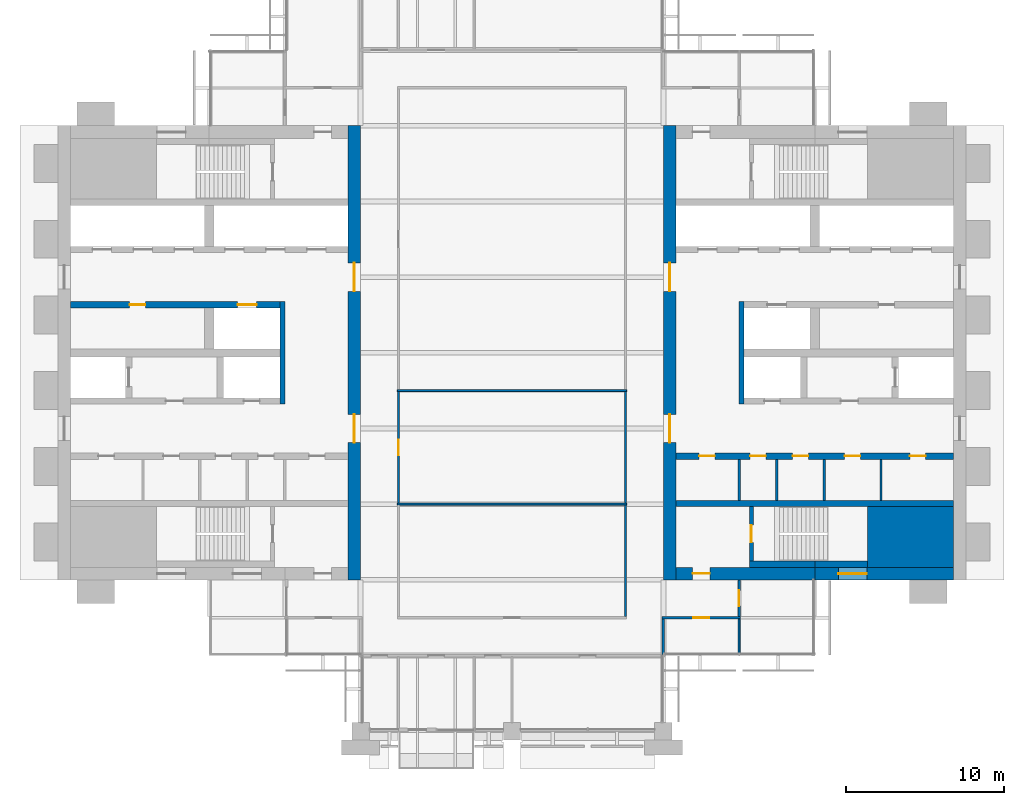
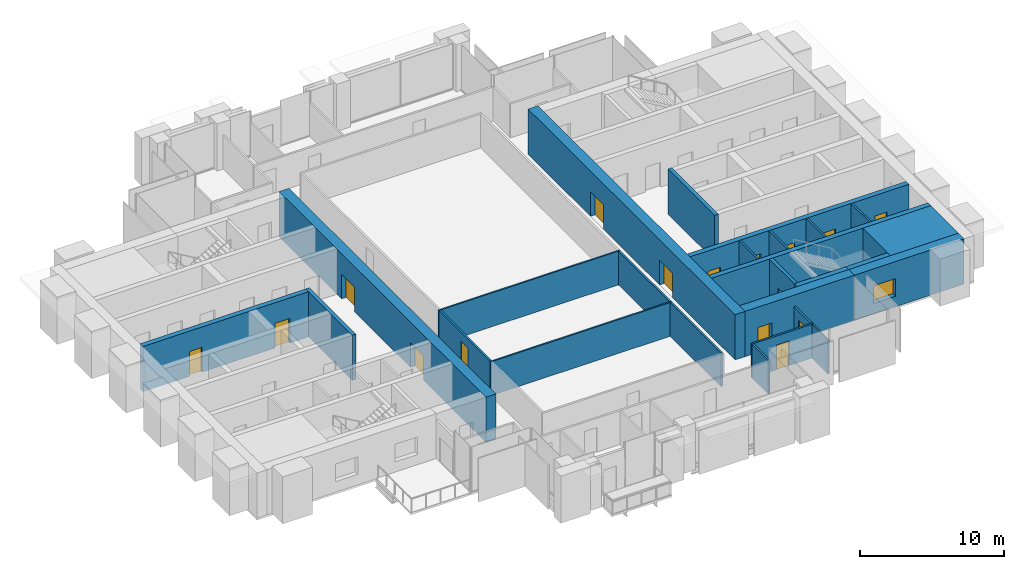
# One storey, part 9 of 14: 26 walls, 16 doors, 1 window, 17 openings.
"""IFC4 building model written with IfcOpenShell, lengths in metres."""

import ifcopenshell
import ifcopenshell.guid

model = None  # the IFC model being written
_history = None  # IfcOwnerHistory: only IFC2X3 demands one
_inside = {}  # id of a spatial element -> (the spatial element, [elements in it])
_under = {}  # id of a project, library or spatial element -> (it, [spatial elements below it])
_declared = {}  # id of a project -> (the project, [libraries it declares])
_typed = {}  # id of a type object -> (the type object, [elements of that type])
_made_of = {}  # id of a material, layer set ... -> (it, [elements and type objects made of it])


def new_model(schema):
    """Start an empty IFC model of exactly this schema.

    Asked for "IFC4X3", IfcOpenShell would pick the latest addendum, in which some entities
    have other attributes; the version numbers below select the first issue.
    IFC2X3 requires an IfcOwnerHistory on every rooted entity: one is made here for all.
    """
    global model, _history
    if schema == "IFC4X3":
        model = ifcopenshell.file(schema_version=(4, 3, 0, 0))
    else:
        model = ifcopenshell.file(schema=schema)
    _inside.clear()
    _under.clear()
    _declared.clear()
    _typed.clear()
    _made_of.clear()
    _history = None
    if model.schema == "IFC2X3":
        org = make("IfcOrganization", Name="unknown")
        user = make(
            "IfcPersonAndOrganization",
            ThePerson=make("IfcPerson", FamilyName="unknown"),
            TheOrganization=org,
        )
        app = make(
            "IfcApplication",
            ApplicationDeveloper=org,
            Version="unknown",
            ApplicationFullName="unknown",
            ApplicationIdentifier="unknown",
        )
        _history = make(
            "IfcOwnerHistory",
            OwningUser=user,
            OwningApplication=app,
            ChangeAction="ADDED",
            CreationDate=0,
        )
    return model


def make(cls, **values):
    """One entity of the class cls with the attributes given. An attribute that is None is left unset."""
    return model.create_entity(
        cls, **{name: value for name, value in values.items() if value is not None}
    )


def rooted(cls, **values):
    """An entity with a GlobalId (a new one), such as an element, a storey or a relation."""
    return make(cls, GlobalId=ifcopenshell.guid.new(), OwnerHistory=_history, **values)


def si_unit(unit_type, name, prefix=None):
    """IfcSIUnit, for example si_unit("LENGTHUNIT", "METRE", prefix="MILLI")."""
    return make("IfcSIUnit", UnitType=unit_type, Prefix=prefix, Name=name)


def assignment(units):
    """IfcUnitAssignment: the units of a project."""
    return None if units is None else make("IfcUnitAssignment", Units=units)


def point(xyz):
    """IfcCartesianPoint."""
    return None if xyz is None else make("IfcCartesianPoint", Coordinates=xyz)


def direction(xyz):
    """IfcDirection."""
    return None if xyz is None else make("IfcDirection", DirectionRatios=xyz)


def frame(location, z_axis=None, x_axis=None):
    """IfcAxis2Placement3D, a coordinate frame: its origin and axes. An axis left out is left unset."""
    return make(
        "IfcAxis2Placement3D",
        Location=point(location),
        Axis=direction(z_axis),
        RefDirection=direction(x_axis),
    )


def frame_2d(location, x_axis=None):
    """IfcAxis2Placement2D, a coordinate frame in the plane: its origin and x axis."""
    return make(
        "IfcAxis2Placement2D", Location=point(location), RefDirection=direction(x_axis)
    )


def origin():
    """The frame at (0, 0, 0) with its axes left unset."""
    return frame((0.0, 0.0, 0.0))


def place(relative_to, where):
    """IfcLocalPlacement: puts the frame where relative to a parent placement (None: the world)."""
    return make(
        "IfcLocalPlacement", PlacementRelTo=relative_to, RelativePlacement=where
    )


def context(
    kind, dimensions, precision=None, world=None, true_north=None, identifier=None
):
    """IfcGeometricRepresentationContext, for example the 3D "Model" context."""
    return make(
        "IfcGeometricRepresentationContext",
        ContextIdentifier=identifier,
        ContextType=kind,
        CoordinateSpaceDimension=dimensions,
        Precision=precision,
        WorldCoordinateSystem=world,
        TrueNorth=true_north,
    )


def subcontext(parent, identifier, kind, view, scale=None):
    """IfcGeometricRepresentationSubContext, for example "Body" below "Model"."""
    return make(
        "IfcGeometricRepresentationSubContext",
        ContextIdentifier=identifier,
        ContextType=kind,
        ParentContext=parent,
        TargetScale=scale,
        TargetView=view,
    )


def project(units=None, contexts=None):
    """IfcProject with its units and contexts."""
    return rooted(
        "IfcProject",
        Name="project",
        RepresentationContexts=contexts,
        UnitsInContext=assignment(units),
    )


def spatial(cls, under=None, at=None, **own):
    """A site, building, storey or space (cls), placed at a placement, below another one or the project."""
    s = rooted(cls, ObjectPlacement=at, **own)
    if under is not None:
        _under.setdefault(under.id(), (under, []))[1].append(s)
    return s


def profile(cls, at=None, kind="AREA", **sizes):
    """A parametric profile (cls). Its sizes go by their IFC names, for example OverallWidth=200.0."""
    return make(cls, ProfileType=kind, Position=at, **sizes)


def rectangle(**sizes):
    """IfcRectangleProfileDef."""
    return profile("IfcRectangleProfileDef", **sizes)


def extrude(swept, where, along, depth):
    """IfcExtrudedAreaSolid: the profile swept, set in the frame where, extruded along a direction by depth."""
    return make(
        "IfcExtrudedAreaSolid",
        SweptArea=swept,
        Position=where,
        ExtrudedDirection=direction(along),
        Depth=depth,
    )


def shape(context_of_items, identifier, shape_type, items):
    """IfcShapeRepresentation: the items that make up one representation, for example the "Body"."""
    return make(
        "IfcShapeRepresentation",
        ContextOfItems=context_of_items,
        RepresentationIdentifier=identifier,
        RepresentationType=shape_type,
        Items=items,
    )


def material(Name=None, Category=None):
    """IfcMaterial."""
    return make("IfcMaterial", Name=Name, Category=Category)


def layer(
    of_material, thickness, ventilated=None, Name=None, Category=None, Priority=None
):
    """IfcMaterialLayer: one layer of a wall or slab, of a material (None: an air gap)."""
    return make(
        "IfcMaterialLayer",
        Material=of_material,
        LayerThickness=thickness,
        IsVentilated=ventilated,
        Name=Name,
        Category=Category,
        Priority=Priority,
    )


def layer_set(layers, Name=None):
    """IfcMaterialLayerSet."""
    return make("IfcMaterialLayerSet", MaterialLayers=layers, LayerSetName=Name)


def made_of(thing, what):
    """Note that an element or type object is made of a material, layer set ...; save() writes the relation."""
    if what is not None:
        _made_of.setdefault(what.id(), (what, []))[1].append(thing)
    return thing


def type_object(cls, material=None, **own):
    """A type object (cls), such as IfcWallType, which elements share."""
    return made_of(rooted(cls, **own), material)


def element(
    cls,
    number,
    at=None,
    inside=None,
    cuts=None,
    type_object=None,
    material=None,
    context=None,
    identifier="Body",
    shape_type=None,
    held_by="IfcProductDefinitionShape",
    body=None,
    shapes=None,
    **own,
):
    """One element of the class cls, such as IfcWall. Its Tag is "e" and its number.

    at: its placement. inside: the storey or other place that contains it. cuts: it is an
    opening in that element (IfcRelVoidsElement). A single representation is given by context,
    identifier, shape_type and body (its items); several are given by shapes. held_by: the class
    of the entity that holds the representations. save() writes the other relations.
    """
    e = rooted(cls, Tag="e%d" % number, ObjectPlacement=at, **own)
    if body is not None:
        shapes = [shape(context, identifier, shape_type, body)]
    if shapes is not None:
        e.Representation = make(held_by, Representations=shapes)
    if inside is not None:
        _inside.setdefault(inside.id(), (inside, []))[1].append(e)
    if cuts is not None:
        rooted(
            "IfcRelVoidsElement", RelatingBuildingElement=cuts, RelatedOpeningElement=e
        )
    if type_object is not None:
        _typed.setdefault(type_object.id(), (type_object, []))[1].append(e)
    return made_of(e, material)


def fill(opening, filler):
    """IfcRelFillsElement: the door or window that sits in an opening."""
    return rooted(
        "IfcRelFillsElement",
        RelatingOpeningElement=opening,
        RelatedBuildingElement=filler,
    )


def aggregate(whole, parts):
    """IfcRelAggregates: a whole, such as a stair, and the parts it consists of."""
    return rooted("IfcRelAggregates", RelatingObject=whole, RelatedObjects=parts)


def save(model, path):
    """Write the relations noted so far, then the file.

    IfcRelAggregates (storeys below a building ...), IfcRelContainedInSpatialStructure (elements
    in a storey), IfcRelDefinesByType, IfcRelAssociatesMaterial and IfcRelDeclares: one each for
    every whole, place, type object, material and project.
    """
    for whole, parts in _under.values():
        aggregate(whole, parts)
    for where, things in _inside.values():
        rooted(
            "IfcRelContainedInSpatialStructure",
            RelatedElements=things,
            RelatingStructure=where,
        )
    for kind, things in _typed.values():
        rooted("IfcRelDefinesByType", RelatedObjects=things, RelatingType=kind)
    for what, things in _made_of.values():
        rooted("IfcRelAssociatesMaterial", RelatedObjects=things, RelatingMaterial=what)
    for by, libraries in _declared.values():
        rooted("IfcRelDeclares", RelatingContext=by, RelatedDefinitions=libraries)
    model.write(path)


model = new_model("IFC4")

# Units and contexts
model_context = context("Model", 3, precision=1e-05, world=origin(), true_north=direction((0.0, 1.0)))
body_context = subcontext(model_context, "Body", "Model", "MODEL_VIEW")
ifc_project = project(units=[si_unit("LENGTHUNIT", "METRE"), si_unit("AREAUNIT", "SQUARE_METRE"), si_unit("VOLUMEUNIT", "CUBIC_METRE"), si_unit("PLANEANGLEUNIT", "RADIAN"), si_unit("MASSUNIT", "GRAM", prefix="KILO")], contexts=[model_context])

# Site, building, storey
site_placement = place(None, origin())
site = spatial("IfcSite", under=ifc_project, at=site_placement, CompositionType="ELEMENT")
building_placement = place(site_placement, origin())
building = spatial("IfcBuilding", under=site, at=building_placement, Name="Baori Bourse Tower", CompositionType="ELEMENT")
storey_placement = place(building_placement, frame((0.0, 0.0, 209.199951171875)))
storey = spatial("IfcBuildingStorey", under=building, at=storey_placement, Name="L45", CompositionType="ELEMENT", Elevation=209.199951171875)

# Walls
ifc_material_1 = material(Name="Concrete f'c 50 MPa", Category="concrete")
wall_type_1 = type_object("IfcWallType", Name="Core corner block f'c 50", PredefinedType="SHEAR", material=ifc_material_1)
wall_1_placement = place(storey_placement, frame((51.35009765625, 12.324951171875, 0.0), z_axis=(0.0, 0.0, 1.0), x_axis=(1.0, 0.0, 0.0)))
element("IfcWall", 1, at=wall_1_placement, inside=storey, type_object=wall_type_1, Name="Core wall E05", PredefinedType="SHEAR", context=body_context, shape_type="SweptSolid", body=[
    extrude(rectangle(XDim=5.449951171875, YDim=3.85009765625, at=frame_2d((2.72509765625, 0.0))), origin(), (0.0, 0.0, 1.0), 3.840087890625),
])
ifc_material_2 = material(Name="Blockwork partition", Category="masonry")
ifc_layer_1 = layer(ifc_material_2, 0.14990234375)
ifc_layer_set_1 = layer_set([ifc_layer_1], Name="Core partition 150")
wall_type_2 = type_object("IfcWallType", Name="Core partition 150", PredefinedType="PARTITIONING", material=ifc_layer_set_1)
for number, where, z_axis, x_axis, name in (
    (2, (52.199951171875, 14.64990234375, 0.0), (0.0, 0.0, 1.0), (0.0, 1.0, 0.0), "Partition wall E10"),
    (3, (48.60009765625, 14.64990234375, 0.0), (0.0, 0.0, 1.0), (0.0, 1.0, 0.0), "Partition wall E11"),
    (4, (45.60009765625, 14.64990234375, 0.0), (0.0, 0.0, 1.0), (0.0, 1.0, 0.0), "Partition wall E12"),
    (5, (43.199951171875, 14.64990234375, 0.0), (0.0, 0.0, 1.0), (0.0, 1.0, 0.0), "Partition wall E13"),
):
    element("IfcWall", number, at=place(storey_placement, frame(where, z_axis=z_axis, x_axis=x_axis)), inside=storey, type_object=wall_type_2, Name=name, PredefinedType="PARTITIONING", context=body_context, shape_type="SweptSolid", body=[
        extrude(rectangle(XDim=2.60009765625, YDim=0.14990234375, at=frame_2d((1.300048828125, 0.0))), origin(), (0.0, 0.0, 1.0), 3.840087890625),
    ])

# Wall, openings, doors
ifc_material_3 = material(Name="Concrete f'c 50 MPa", Category="concrete")
ifc_layer_2 = layer(ifc_material_3, 0.800048828125)
ifc_layer_set_2 = layer_set([ifc_layer_2], Name="Core wall 800 f'c 50")
wall_type_3 = type_object("IfcWallType", Name="Core wall 800 f'c 50", PredefinedType="SHEAR", material=ifc_layer_set_2)
wall_2_placement = place(storey_placement, frame((18.800048828125, 38.39990234375, 0.0), z_axis=(0.0, 0.0, 1.0), x_axis=(0.0, -1.0, 0.0)))
wall_2 = element("IfcWall", 6, at=wall_2_placement, inside=storey, type_object=wall_type_3, Name="Core wall W04", PredefinedType="SHEAR", context=body_context, shape_type="SweptSolid", body=[
    extrude(rectangle(XDim=28.7998046875, YDim=0.800048828125, at=frame_2d((14.39990234375, 0.0))), origin(), (0.0, 0.0, 1.0), 3.840087890625),
])
opening_1_placement = place(wall_2_placement, frame((18.300048828125, 0.0, 0.0)))
opening_1 = element("IfcOpeningElement", 7, at=opening_1_placement, cuts=wall_2, Name="Opening L45-D107", PredefinedType="OPENING", context=body_context, shape_type="SweptSolid", body=[
    extrude(rectangle(XDim=1.800048828125, YDim=2.10009765625, at=frame_2d((0.89990234375, 1.050048828125))), frame((0.0, 0.409912109375, 0.0), z_axis=(0.0, -1.0, 0.0), x_axis=(1.0, 0.0, 0.0)), (0.0, 0.0, 1.0), 0.820068359375),
])
opening_2_placement = place(wall_2_placement, frame((8.699951171875, 0.0, 0.0)))
opening_2 = element("IfcOpeningElement", 8, at=opening_2_placement, cuts=wall_2, Name="Opening L45-D108", PredefinedType="OPENING", context=body_context, shape_type="SweptSolid", body=[
    extrude(rectangle(XDim=1.800048828125, YDim=2.10009765625, at=frame_2d((0.89990234375, 1.050048828125))), frame((0.0, 0.409912109375, 0.0), z_axis=(0.0, -1.0, 0.0), x_axis=(1.0, 0.0, 0.0)), (0.0, 0.0, 1.0), 0.820068359375),
])
ifc_material_4 = material(Name="Painted steel door", Category="steel")
door_type_1 = type_object("IfcDoorType", Name="Core lobby door 1800", OperationType="DOUBLE_DOOR_SINGLE_SWING", PredefinedType="DOOR", material=ifc_material_4)
door_1_placement = place(opening_1_placement, origin())
door_1 = element("IfcDoor", 9, at=door_1_placement, inside=storey, type_object=door_type_1, Name="Lobby door W L45", OperationType="DOUBLE_DOOR_SINGLE_SWING", OverallHeight=2.10009765625, OverallWidth=1.800048828125, PredefinedType="DOOR", context=body_context, shape_type="SweptSolid", body=[
    extrude(rectangle(XDim=1.800048828125, YDim=2.10009765625, at=frame_2d((0.89990234375, 1.050048828125))), frame((0.0, 0.02490234375, 0.0), z_axis=(0.0, -1.0, 0.0), x_axis=(1.0, 0.0, 0.0)), (0.0, 0.0, 1.0), 0.050048828125),
])
fill(opening_1, door_1)
door_2_placement = place(opening_2_placement, origin())
door_2 = element("IfcDoor", 10, at=door_2_placement, inside=storey, type_object=door_type_1, Name="Lobby door W L45", OperationType="DOUBLE_DOOR_SINGLE_SWING", OverallHeight=2.10009765625, OverallWidth=1.800048828125, PredefinedType="DOOR", context=body_context, shape_type="SweptSolid", body=[
    extrude(rectangle(XDim=1.800048828125, YDim=2.10009765625, at=frame_2d((0.89990234375, 1.050048828125))), frame((0.0, 0.02490234375, 0.0), z_axis=(0.0, -1.0, 0.0), x_axis=(1.0, 0.0, 0.0)), (0.0, 0.0, 1.0), 0.050048828125),
])
fill(opening_2, door_2)

# Wall, opening, window
wall_3_placement = place(storey_placement, frame((56.800048828125, 10.0, 0.0), z_axis=(0.0, 0.0, 1.0), x_axis=(-1.0, 0.0, 0.0)))
wall_3 = element("IfcWall", 11, at=wall_3_placement, inside=storey, type_object=wall_type_3, Name="Core wall E02", PredefinedType="SHEAR", context=body_context, shape_type="SweptSolid", body=[
    extrude(rectangle(XDim=8.800048828125, YDim=0.800048828125, at=frame_2d((4.39990234375, 0.0))), origin(), (0.0, 0.0, 1.0), 3.840087890625),
])
opening_3_placement = place(wall_3_placement, frame((5.5, 0.0, 0.89990234375)))
opening_3 = element("IfcOpeningElement", 12, at=opening_3_placement, cuts=wall_3, Name="Opening L45-KW203", PredefinedType="OPENING", context=body_context, shape_type="SweptSolid", body=[
    extrude(rectangle(XDim=1.800048828125, YDim=1.5, at=frame_2d((0.89990234375, 0.75))), frame((0.0, 0.409912109375, 0.0), z_axis=(0.0, -1.0, 0.0), x_axis=(1.0, 0.0, 0.0)), (0.0, 0.0, 1.0), 0.820068359375),
])
ifc_material_5 = material(Name="Pale anodised aluminium", Category="aluminium")
window_type = type_object("IfcWindowType", Name="Stair window 1800 x 1500", PartitioningType="SINGLE_PANEL", PredefinedType="WINDOW", material=ifc_material_5)
window_placement = place(opening_3_placement, origin())
window = element("IfcWindow", 13, at=window_placement, inside=storey, type_object=window_type, Name="Stair window E L45 3", OverallHeight=1.5, OverallWidth=1.800048828125, PartitioningType="SINGLE_PANEL", PredefinedType="WINDOW", context=body_context, shape_type="SweptSolid", body=[
    extrude(rectangle(XDim=1.800048828125, YDim=1.5, at=frame_2d((0.89990234375, 0.75))), frame((0.0, 0.030029296875, 0.0), z_axis=(0.0, -1.0, 0.0), x_axis=(1.0, 0.0, 0.0)), (0.0, 0.0, 1.0), 0.06005859375),
])
fill(opening_3, window)

# Wall, opening, door
wall_4_placement = place(storey_placement, frame((48.0, 10.0, 0.0), z_axis=(0.0, 0.0, 1.0), x_axis=(-1.0, 0.0, 0.0)))
wall_4 = element("IfcWall", 14, at=wall_4_placement, inside=storey, type_object=wall_type_3, Name="Core wall E03", PredefinedType="SHEAR", context=body_context, shape_type="SweptSolid", body=[
    extrude(rectangle(XDim=8.800048828125, YDim=0.800048828125, at=frame_2d((4.39990234375, 0.0))), origin(), (0.0, 0.0, 1.0), 3.840087890625),
])
opening_4_placement = place(wall_4_placement, frame((6.64990234375, 0.0, 0.0)))
opening_4 = element("IfcOpeningElement", 15, at=opening_4_placement, cuts=wall_4, Name="Opening L45-D202", PredefinedType="OPENING", context=body_context, shape_type="SweptSolid", body=[
    extrude(rectangle(XDim=1.10009765625, YDim=2.10009765625, at=frame_2d((0.550048828125, 1.050048828125))), frame((0.0, 0.409912109375, 0.0), z_axis=(0.0, -1.0, 0.0), x_axis=(1.0, 0.0, 0.0)), (0.0, 0.0, 1.0), 0.820068359375),
])
ifc_material_6 = material(Name="Painted steel door", Category="steel")
door_type_2 = type_object("IfcDoorType", Name="Stair door 1100", OperationType="SINGLE_SWING_LEFT", PredefinedType="DOOR", material=ifc_material_6)
door_3_placement = place(opening_4_placement, origin())
door_3 = element("IfcDoor", 16, at=door_3_placement, inside=storey, type_object=door_type_2, Name="Stair vestibule door A E L45", OperationType="SINGLE_SWING_LEFT", OverallHeight=2.10009765625, OverallWidth=1.10009765625, PredefinedType="DOOR", context=body_context, shape_type="SweptSolid", body=[
    extrude(rectangle(XDim=1.10009765625, YDim=2.10009765625, at=frame_2d((0.550048828125, 1.050048828125))), frame((0.0, 0.02490234375, 0.0), z_axis=(0.0, -1.0, 0.0), x_axis=(1.0, 0.0, 0.0)), (0.0, 0.0, 1.0), 0.050048828125),
])
fill(opening_4, door_3)

# Wall, openings, doors
wall_5_placement = place(storey_placement, frame((38.800048828125, 9.60009765625, 0.0), z_axis=(0.0, 0.0, 1.0), x_axis=(0.0, 1.0, 0.0)))
wall_5 = element("IfcWall", 17, at=wall_5_placement, inside=storey, type_object=wall_type_3, Name="Core wall E04", PredefinedType="SHEAR", context=body_context, shape_type="SweptSolid", body=[
    extrude(rectangle(XDim=28.7998046875, YDim=0.800048828125, at=frame_2d((14.39990234375, 0.0))), origin(), (0.0, 0.0, 1.0), 3.840087890625),
])
opening_5_placement = place(wall_5_placement, frame((8.699951171875, 0.0, 0.0)))
opening_5 = element("IfcOpeningElement", 18, at=opening_5_placement, cuts=wall_5, Name="Opening L45-D207", PredefinedType="OPENING", context=body_context, shape_type="SweptSolid", body=[
    extrude(rectangle(XDim=1.800048828125, YDim=2.10009765625, at=frame_2d((0.89990234375, 1.050048828125))), frame((0.0, 0.409912109375, 0.0), z_axis=(0.0, -1.0, 0.0), x_axis=(1.0, 0.0, 0.0)), (0.0, 0.0, 1.0), 0.820068359375),
])
opening_6_placement = place(wall_5_placement, frame((18.300048828125, 0.0, 0.0)))
opening_6 = element("IfcOpeningElement", 19, at=opening_6_placement, cuts=wall_5, Name="Opening L45-D208", PredefinedType="OPENING", context=body_context, shape_type="SweptSolid", body=[
    extrude(rectangle(XDim=1.800048828125, YDim=2.10009765625, at=frame_2d((0.89990234375, 1.050048828125))), frame((0.0, 0.409912109375, 0.0), z_axis=(0.0, -1.0, 0.0), x_axis=(1.0, 0.0, 0.0)), (0.0, 0.0, 1.0), 0.820068359375),
])
door_4_placement = place(opening_5_placement, origin())
door_4 = element("IfcDoor", 20, at=door_4_placement, inside=storey, type_object=door_type_1, Name="Lobby door E L45", OperationType="DOUBLE_DOOR_SINGLE_SWING", OverallHeight=2.10009765625, OverallWidth=1.800048828125, PredefinedType="DOOR", context=body_context, shape_type="SweptSolid", body=[
    extrude(rectangle(XDim=1.800048828125, YDim=2.10009765625, at=frame_2d((0.89990234375, 1.050048828125))), frame((0.0, 0.02490234375, 0.0), z_axis=(0.0, -1.0, 0.0), x_axis=(1.0, 0.0, 0.0)), (0.0, 0.0, 1.0), 0.050048828125),
])
fill(opening_5, door_4)
door_5_placement = place(opening_6_placement, origin())
door_5 = element("IfcDoor", 21, at=door_5_placement, inside=storey, type_object=door_type_1, Name="Lobby door E L45", OperationType="DOUBLE_DOOR_SINGLE_SWING", OverallHeight=2.10009765625, OverallWidth=1.800048828125, PredefinedType="DOOR", context=body_context, shape_type="SweptSolid", body=[
    extrude(rectangle(XDim=1.800048828125, YDim=2.10009765625, at=frame_2d((0.89990234375, 1.050048828125))), frame((0.0, 0.02490234375, 0.0), z_axis=(0.0, -1.0, 0.0), x_axis=(1.0, 0.0, 0.0)), (0.0, 0.0, 1.0), 0.050048828125),
])
fill(opening_6, door_5)

# Wall, opening, door
ifc_material_7 = material(Name="Gypsum board partition")
ifc_layer_3 = layer(ifc_material_7, 0.14990234375)
ifc_layer_set_3 = layer_set([ifc_layer_3], Name="Corridor partition 150")
wall_type_4 = type_object("IfcWallType", Name="Corridor partition 150", PredefinedType="PARTITIONING", material=ifc_layer_set_3)
wall_6_placement = place(storey_placement, frame((38.324951171875, 7.199951171875, 0.0), z_axis=(0.0, 0.0, 1.0), x_axis=(1.0, 0.0, 0.0)))
wall_6 = element("IfcWall", 22, at=wall_6_placement, inside=storey, type_object=wall_type_4, Name="Partition", PredefinedType="PARTITIONING", context=body_context, shape_type="SweptSolid", body=[
    extrude(rectangle(XDim=4.949951171875, YDim=0.14990234375, at=frame_2d((2.47509765625, 0.0))), origin(), (0.0, 0.0, 1.0), 2.869873046875),
])
opening_7_placement = place(wall_6_placement, frame((1.97509765625, 0.0, 0.0)))
opening_7 = element("IfcOpeningElement", 23, at=opening_7_placement, cuts=wall_6, Name="Opening L45-D07", PredefinedType="OPENING", context=body_context, shape_type="SweptSolid", body=[
    extrude(rectangle(XDim=1.0, YDim=2.10009765625, at=frame_2d((0.5, 1.050048828125))), frame((0.0, 0.0849609375, 0.0), z_axis=(0.0, -1.0, 0.0), x_axis=(1.0, 0.0, 0.0)), (0.0, 0.0, 1.0), 0.169921875),
])
ifc_material_8 = material(Name="Timber door leaf", Category="wood")
door_type_3 = type_object("IfcDoorType", Name="Door 1000 x 2100", OperationType="SINGLE_SWING_LEFT", PredefinedType="DOOR", material=ifc_material_8)
door_6_placement = place(opening_7_placement, origin())
door_6 = element("IfcDoor", 24, at=door_6_placement, inside=storey, type_object=door_type_3, Name="Door", OperationType="SINGLE_SWING_LEFT", OverallHeight=2.10009765625, OverallWidth=1.0, PredefinedType="DOOR", context=body_context, shape_type="SweptSolid", body=[
    extrude(rectangle(XDim=1.0, YDim=2.10009765625, at=frame_2d((0.5, 1.050048828125))), frame((0.0, 0.02490234375, 0.0), z_axis=(0.0, -1.0, 0.0), x_axis=(1.0, 0.0, 0.0)), (0.0, 0.0, 1.0), 0.050048828125),
])
fill(opening_7, door_6)

wall_7_placement = place(storey_placement, frame((21.60009765625, 14.46240234375, 0.0), z_axis=(0.0, 0.0, 1.0), x_axis=(0.0, 1.0, 0.0)))
wall_7 = element("IfcWall", 25, at=wall_7_placement, inside=storey, type_object=wall_type_4, Name="Partition", PredefinedType="PARTITIONING", context=body_context, shape_type="SweptSolid", body=[
    extrude(rectangle(XDim=7.0751953125, YDim=0.14990234375, at=frame_2d((3.53759765625, 0.0))), origin(), (0.0, 0.0, 1.0), 2.869873046875),
])
opening_8_placement = place(wall_7_placement, frame((3.03759765625, 0.0, 0.0)))
opening_8 = element("IfcOpeningElement", 26, at=opening_8_placement, cuts=wall_7, Name="Opening L45-D14", PredefinedType="OPENING", context=body_context, shape_type="SweptSolid", body=[
    extrude(rectangle(XDim=1.0, YDim=2.10009765625, at=frame_2d((0.5, 1.050048828125))), frame((0.0, 0.0849609375, 0.0), z_axis=(0.0, -1.0, 0.0), x_axis=(1.0, 0.0, 0.0)), (0.0, 0.0, 1.0), 0.169921875),
])
door_7_placement = place(opening_8_placement, origin())
door_7 = element("IfcDoor", 27, at=door_7_placement, inside=storey, type_object=door_type_3, Name="Door", OperationType="SINGLE_SWING_LEFT", OverallHeight=2.10009765625, OverallWidth=1.0, PredefinedType="DOOR", context=body_context, shape_type="SweptSolid", body=[
    extrude(rectangle(XDim=1.0, YDim=2.10009765625, at=frame_2d((0.5, 1.050048828125))), frame((0.0, 0.02490234375, 0.0), z_axis=(0.0, -1.0, 0.0), x_axis=(1.0, 0.0, 0.0)), (0.0, 0.0, 1.0), 0.050048828125),
])
fill(opening_8, door_7)

# Walls
wall_8_placement = place(storey_placement, frame((36.0, 7.27490234375, 0.0), z_axis=(0.0, 0.0, 1.0), x_axis=(0.0, 1.0, 0.0)))
element("IfcWall", 28, at=wall_8_placement, inside=storey, type_object=wall_type_4, Name="Partition", PredefinedType="PARTITIONING", context=body_context, shape_type="SweptSolid", body=[
    extrude(rectangle(XDim=7.0625, YDim=0.14990234375, at=frame_2d((3.53125, 0.0))), origin(), (0.0, 0.0, 1.0), 2.869873046875),
])
wall_9_placement = place(storey_placement, frame((36.0, 14.46240234375, 0.0), z_axis=(0.0, 0.0, 1.0), x_axis=(0.0, 1.0, 0.0)))
element("IfcWall", 29, at=wall_9_placement, inside=storey, type_object=wall_type_4, Name="Partition", PredefinedType="PARTITIONING", context=body_context, shape_type="SweptSolid", body=[
    extrude(rectangle(XDim=7.0751953125, YDim=0.14990234375, at=frame_2d((3.53759765625, 0.0))), origin(), (0.0, 0.0, 1.0), 2.869873046875),
])
wall_10_placement = place(storey_placement, frame((38.39990234375, 4.875, 0.0), z_axis=(0.0, 0.0, 1.0), x_axis=(0.0, 1.0, 0.0)))
element("IfcWall", 30, at=wall_10_placement, inside=storey, type_object=wall_type_4, Name="Partition", PredefinedType="PARTITIONING", context=body_context, shape_type="SweptSolid", body=[
    extrude(rectangle(XDim=2.25, YDim=0.14990234375, at=frame_2d((1.125, 0.0))), origin(), (0.0, 0.0, 1.0), 2.869873046875),
])

# Wall, opening, door
wall_11_placement = place(storey_placement, frame((43.199951171875, 7.27490234375, 0.0), z_axis=(0.0, 0.0, 1.0), x_axis=(0.0, 1.0, 0.0)))
wall_11 = element("IfcWall", 31, at=wall_11_placement, inside=storey, type_object=wall_type_4, Name="Partition", PredefinedType="PARTITIONING", context=body_context, shape_type="SweptSolid", body=[
    extrude(rectangle(XDim=2.3251953125, YDim=0.14990234375, at=frame_2d((1.16259765625, 0.0))), origin(), (0.0, 0.0, 1.0), 2.869873046875),
])
opening_9_placement = place(wall_11_placement, frame((0.66259765625, 0.0, 0.0)))
opening_9 = element("IfcOpeningElement", 32, at=opening_9_placement, cuts=wall_11, Name="Opening L45-D16", PredefinedType="OPENING", context=body_context, shape_type="SweptSolid", body=[
    extrude(rectangle(XDim=1.0, YDim=2.10009765625, at=frame_2d((0.5, 1.050048828125))), frame((0.0, 0.0849609375, 0.0), z_axis=(0.0, -1.0, 0.0), x_axis=(1.0, 0.0, 0.0)), (0.0, 0.0, 1.0), 0.169921875),
])
door_8_placement = place(opening_9_placement, origin())
door_8 = element("IfcDoor", 33, at=door_8_placement, inside=storey, type_object=door_type_3, Name="Door", OperationType="SINGLE_SWING_LEFT", OverallHeight=2.10009765625, OverallWidth=1.0, PredefinedType="DOOR", context=body_context, shape_type="SweptSolid", body=[
    extrude(rectangle(XDim=1.0, YDim=2.10009765625, at=frame_2d((0.5, 1.050048828125))), frame((0.0, 0.02490234375, 0.0), z_axis=(0.0, -1.0, 0.0), x_axis=(1.0, 0.0, 0.0)), (0.0, 0.0, 1.0), 0.050048828125),
])
fill(opening_9, door_8)

# Walls
ifc_material_9 = material(Name="Gypsum board partition")
ifc_layer_4 = layer(ifc_material_9, 0.125)
ifc_layer_set_4 = layer_set([ifc_layer_4], Name="Partition 125")
wall_type_5 = type_object("IfcWallType", Name="Partition 125", PredefinedType="PARTITIONING", material=ifc_layer_set_4)
for number, where, z_axis, x_axis, name in (
    (34, (21.52490234375, 14.39990234375, 0.0), (0.0, 0.0, 1.0), (1.0, 0.0, 0.0), "Partition"),
    (35, (21.52490234375, 21.60009765625, 0.0), (0.0, 0.0, 1.0), (1.0, 0.0, 0.0), "Partition"),
):
    element("IfcWall", number, at=place(storey_placement, frame(where, z_axis=z_axis, x_axis=x_axis)), inside=storey, type_object=wall_type_5, Name=name, PredefinedType="PARTITIONING", context=body_context, shape_type="SweptSolid", body=[
        extrude(rectangle(XDim=14.550048828125, YDim=0.125, at=frame_2d((7.27490234375, 0.0))), origin(), (0.0, 0.0, 1.0), 2.869873046875),
    ])
wall_12_placement = place(storey_placement, frame((43.199951171875, 4.89990234375, 0.0), z_axis=(0.0, 0.0, 1.0), x_axis=(0.0, 1.0, 0.0)))
element("IfcWall", 36, at=wall_12_placement, inside=storey, type_object=wall_type_5, Name="Partition", PredefinedType="PARTITIONING", context=body_context, shape_type="SweptSolid", body=[
    extrude(rectangle(XDim=2.22509765625, YDim=0.125, at=frame_2d((1.112548828125, 0.0))), origin(), (0.0, 0.0, 1.0), 2.869873046875),
])

# Wall, opening, door
ifc_material_10 = material(Name="Concrete f'c 50 MPa", Category="concrete")
ifc_layer_5 = layer(ifc_material_10, 0.25)
ifc_layer_set_5 = layer_set([ifc_layer_5], Name="Shaft wall 250 f'c 50")
wall_type_6 = type_object("IfcWallType", Name="Shaft wall 250 f'c 50", PredefinedType="SHEAR", material=ifc_layer_set_5)
wall_13_placement = place(storey_placement, frame((43.97509765625, 10.800048828125, 0.0), z_axis=(0.0, 0.0, 1.0), x_axis=(0.0, 1.0, 0.0)))
wall_13 = element("IfcWall", 37, at=wall_13_placement, inside=storey, type_object=wall_type_6, Name="Core wall E08", PredefinedType="SHEAR", context=body_context, shape_type="SweptSolid", body=[
    extrude(rectangle(XDim=3.449951171875, YDim=0.25, at=frame_2d((1.72509765625, 0.0))), origin(), (0.0, 0.0, 1.0), 3.840087890625),
])
opening_10_placement = place(wall_13_placement, frame((1.175048828125, 0.0, 0.0)))
opening_10 = element("IfcOpeningElement", 38, at=opening_10_placement, cuts=wall_13, Name="Opening L45-D201", PredefinedType="OPENING", context=body_context, shape_type="SweptSolid", body=[
    extrude(rectangle(XDim=1.10009765625, YDim=2.10009765625, at=frame_2d((0.550048828125, 1.050048828125))), frame((0.0, 0.135009765625, 0.0), z_axis=(0.0, -1.0, 0.0), x_axis=(1.0, 0.0, 0.0)), (0.0, 0.0, 1.0), 0.27001953125),
])
door_9_placement = place(opening_10_placement, origin())
door_9 = element("IfcDoor", 39, at=door_9_placement, inside=storey, type_object=door_type_2, Name="Stair door A E L45", OperationType="SINGLE_SWING_LEFT", OverallHeight=2.10009765625, OverallWidth=1.10009765625, PredefinedType="DOOR", context=body_context, shape_type="SweptSolid", body=[
    extrude(rectangle(XDim=1.10009765625, YDim=2.10009765625, at=frame_2d((0.550048828125, 1.050048828125))), frame((0.0, 0.02490234375, 0.0), z_axis=(0.0, -1.0, 0.0), x_axis=(1.0, 0.0, 0.0)), (0.0, 0.0, 1.0), 0.050048828125),
])
fill(opening_10, door_9)

# Walls
ifc_material_11 = material(Name="Concrete f'c 50 MPa", Category="concrete")
ifc_layer_6 = layer(ifc_material_11, 0.300048828125)
ifc_layer_set_6 = layer_set([ifc_layer_6], Name="Shaft wall 300 f'c 50")
wall_type_7 = type_object("IfcWallType", Name="Shaft wall 300 f'c 50", PredefinedType="SHEAR", material=ifc_layer_set_6)
for number, where, z_axis, x_axis, name in (
    (40, (14.25, 20.75, 0.0), (0.0, 0.0, 1.0), (0.0, 1.0, 0.0), "Core wall W15"),
    (41, (43.35009765625, 20.75, 0.0), (0.0, 0.0, 1.0), (0.0, 1.0, 0.0), "Core wall E16"),
):
    element("IfcWall", number, at=place(storey_placement, frame(where, z_axis=z_axis, x_axis=x_axis)), inside=storey, type_object=wall_type_7, Name=name, PredefinedType="SHEAR", context=body_context, shape_type="SweptSolid", body=[
        extrude(rectangle(XDim=6.5, YDim=0.300048828125, at=frame_2d((3.25, 0.0))), origin(), (0.0, 0.0, 1.0), 3.840087890625),
    ])

# Wall, openings, doors
ifc_material_12 = material(Name="Concrete f'c 50 MPa", Category="concrete")
ifc_layer_7 = layer(ifc_material_12, 0.39990234375)
ifc_layer_set_7 = layer_set([ifc_layer_7], Name="Shaft wall 400 f'c 50")
wall_type_8 = type_object("IfcWallType", Name="Shaft wall 400 f'c 50", PredefinedType="SHEAR", material=ifc_layer_set_7)
wall_14_placement = place(storey_placement, frame((0.800048828125, 27.050048828125, 0.0), z_axis=(0.0, 0.0, 1.0), x_axis=(1.0, 0.0, 0.0)))
wall_14 = element("IfcWall", 42, at=wall_14_placement, inside=storey, type_object=wall_type_8, Name="Core wall W20", PredefinedType="SHEAR", context=body_context, shape_type="SweptSolid", body=[
    extrude(rectangle(XDim=13.300048828125, YDim=0.39990234375, at=frame_2d((6.64990234375, 0.0))), origin(), (0.0, 0.0, 1.0), 3.840087890625),
])
opening_11_placement = place(wall_14_placement, frame((3.75, 0.0, 0.0)))
opening_11 = element("IfcOpeningElement", 43, at=opening_11_placement, cuts=wall_14, Name="Opening L45-D114", PredefinedType="OPENING", context=body_context, shape_type="SweptSolid", body=[
    extrude(rectangle(XDim=1.0, YDim=2.10009765625, at=frame_2d((0.5, 1.050048828125))), frame((0.0, 0.2099609375, 0.0), z_axis=(0.0, -1.0, 0.0), x_axis=(1.0, 0.0, 0.0)), (0.0, 0.0, 1.0), 0.419921875),
])
opening_12_placement = place(wall_14_placement, frame((10.60009765625, 0.0, 0.0)))
opening_12 = element("IfcOpeningElement", 44, at=opening_12_placement, cuts=wall_14, Name="Opening L45-D121", PredefinedType="OPENING", context=body_context, shape_type="SweptSolid", body=[
    extrude(rectangle(XDim=1.199951171875, YDim=2.10009765625, at=frame_2d((0.60009765625, 1.050048828125))), frame((0.0, 0.2099609375, 0.0), z_axis=(0.0, -1.0, 0.0), x_axis=(1.0, 0.0, 0.0)), (0.0, 0.0, 1.0), 0.419921875),
])
ifc_material_13 = material(Name="Painted steel door", Category="steel")
door_type_4 = type_object("IfcDoorType", Name="Core door 1000", OperationType="SINGLE_SWING_LEFT", PredefinedType="DOOR", material=ifc_material_13)
door_10_placement = place(opening_11_placement, origin())
door_10 = element("IfcDoor", 45, at=door_10_placement, inside=storey, type_object=door_type_4, Name="Copy Room door W L45", OperationType="SINGLE_SWING_LEFT", OverallHeight=2.10009765625, OverallWidth=1.0, PredefinedType="DOOR", context=body_context, shape_type="SweptSolid", body=[
    extrude(rectangle(XDim=1.0, YDim=2.10009765625, at=frame_2d((0.5, 1.050048828125))), frame((0.0, 0.02490234375, 0.0), z_axis=(0.0, -1.0, 0.0), x_axis=(1.0, 0.0, 0.0)), (0.0, 0.0, 1.0), 0.050048828125),
])
fill(opening_11, door_10)
ifc_material_14 = material(Name="Stainless steel door", Category="steel")
door_type_5 = type_object("IfcDoorType", Name="Lift landing door", OperationType="DOUBLE_DOOR_SLIDING", PredefinedType="DOOR", material=ifc_material_14)
door_11_placement = place(opening_12_placement, origin())
door_11 = element("IfcDoor", 46, at=door_11_placement, inside=storey, type_object=door_type_5, Name="Lift landing door SV1 W L45", OperationType="DOUBLE_DOOR_SLIDING", OverallHeight=2.10009765625, OverallWidth=1.199951171875, PredefinedType="DOOR", context=body_context, shape_type="SweptSolid", body=[
    extrude(rectangle(XDim=1.199951171875, YDim=2.10009765625, at=frame_2d((0.60009765625, 1.050048828125))), frame((0.0, 0.02490234375, 0.0), z_axis=(0.0, -1.0, 0.0), x_axis=(1.0, 0.0, 0.0)), (0.0, 0.0, 1.0), 0.050048828125),
])
fill(opening_12, door_11)

# Walls
wall_15_placement = place(storey_placement, frame((48.0, 10.60009765625, 0.0), z_axis=(0.0, 0.0, 1.0), x_axis=(1.0, 0.0, 0.0)))
element("IfcWall", 47, at=wall_15_placement, inside=storey, type_object=wall_type_8, Name="Core wall E06", PredefinedType="SHEAR", context=body_context, shape_type="SweptSolid", body=[
    extrude(rectangle(XDim=3.35009765625, YDim=0.39990234375, at=frame_2d((1.675048828125, 0.0))), origin(), (0.0, 0.0, 1.0), 3.840087890625),
])
wall_16_placement = place(storey_placement, frame((43.85009765625, 10.60009765625, 0.0), z_axis=(0.0, 0.0, 1.0), x_axis=(1.0, 0.0, 0.0)))
element("IfcWall", 48, at=wall_16_placement, inside=storey, type_object=wall_type_8, Name="Core wall E07", PredefinedType="SHEAR", context=body_context, shape_type="SweptSolid", body=[
    extrude(rectangle(XDim=4.14990234375, YDim=0.39990234375, at=frame_2d((2.074951171875, 0.0))), origin(), (0.0, 0.0, 1.0), 3.840087890625),
])
wall_17_placement = place(storey_placement, frame((39.199951171875, 14.449951171875, 0.0), z_axis=(0.0, 0.0, 1.0), x_axis=(1.0, 0.0, 0.0)))
element("IfcWall", 49, at=wall_17_placement, inside=storey, type_object=wall_type_8, Name="Core wall E09", PredefinedType="SHEAR", context=body_context, shape_type="SweptSolid", body=[
    extrude(rectangle(XDim=17.60009765625, YDim=0.39990234375, at=frame_2d((8.800048828125, 0.0))), origin(), (0.0, 0.0, 1.0), 3.840087890625),
])

# Wall, openings, doors
wall_18_placement = place(storey_placement, frame((39.199951171875, 17.449951171875, 0.0), z_axis=(0.0, 0.0, 1.0), x_axis=(1.0, 0.0, 0.0)))
wall_18 = element("IfcWall", 50, at=wall_18_placement, inside=storey, type_object=wall_type_8, Name="Core wall E14", PredefinedType="SHEAR", context=body_context, shape_type="SweptSolid", body=[
    extrude(rectangle(XDim=17.60009765625, YDim=0.39990234375, at=frame_2d((8.800048828125, 0.0))), origin(), (0.0, 0.0, 1.0), 3.840087890625),
])
opening_13_placement = place(wall_18_placement, frame((14.83740234375, 0.0, 0.0)))
opening_13 = element("IfcOpeningElement", 51, at=opening_13_placement, cuts=wall_18, Name="Opening L45-D209", PredefinedType="OPENING", context=body_context, shape_type="SweptSolid", body=[
    extrude(rectangle(XDim=1.0, YDim=2.10009765625, at=frame_2d((0.5, 1.050048828125))), frame((0.0, 0.2099609375, 0.0), z_axis=(0.0, -1.0, 0.0), x_axis=(1.0, 0.0, 0.0)), (0.0, 0.0, 1.0), 0.419921875),
])
opening_14_placement = place(wall_18_placement, frame((10.699951171875, 0.0, 0.0)))
opening_14 = element("IfcOpeningElement", 52, at=opening_14_placement, cuts=wall_18, Name="Opening L45-D210", PredefinedType="OPENING", context=body_context, shape_type="SweptSolid", body=[
    extrude(rectangle(XDim=1.0, YDim=2.10009765625, at=frame_2d((0.5, 1.050048828125))), frame((0.0, 0.2099609375, 0.0), z_axis=(0.0, -1.0, 0.0), x_axis=(1.0, 0.0, 0.0)), (0.0, 0.0, 1.0), 0.419921875),
])
opening_15_placement = place(wall_18_placement, frame((7.39990234375, 0.0, 0.0)))
opening_15 = element("IfcOpeningElement", 53, at=opening_15_placement, cuts=wall_18, Name="Opening L45-D211", PredefinedType="OPENING", context=body_context, shape_type="SweptSolid", body=[
    extrude(rectangle(XDim=1.0, YDim=2.10009765625, at=frame_2d((0.5, 1.050048828125))), frame((0.0, 0.2099609375, 0.0), z_axis=(0.0, -1.0, 0.0), x_axis=(1.0, 0.0, 0.0)), (0.0, 0.0, 1.0), 0.419921875),
])
opening_16_placement = place(wall_18_placement, frame((4.699951171875, 0.0, 0.0)))
opening_16 = element("IfcOpeningElement", 54, at=opening_16_placement, cuts=wall_18, Name="Opening L45-D212", PredefinedType="OPENING", context=body_context, shape_type="SweptSolid", body=[
    extrude(rectangle(XDim=1.0, YDim=2.10009765625, at=frame_2d((0.5, 1.050048828125))), frame((0.0, 0.2099609375, 0.0), z_axis=(0.0, -1.0, 0.0), x_axis=(1.0, 0.0, 0.0)), (0.0, 0.0, 1.0), 0.419921875),
])
opening_17_placement = place(wall_18_placement, frame((1.46240234375, 0.0, 0.0)))
opening_17 = element("IfcOpeningElement", 55, at=opening_17_placement, cuts=wall_18, Name="Opening L45-D213", PredefinedType="OPENING", context=body_context, shape_type="SweptSolid", body=[
    extrude(rectangle(XDim=1.0, YDim=2.10009765625, at=frame_2d((0.5, 1.050048828125))), frame((0.0, 0.2099609375, 0.0), z_axis=(0.0, -1.0, 0.0), x_axis=(1.0, 0.0, 0.0)), (0.0, 0.0, 1.0), 0.419921875),
])
door_12_placement = place(opening_13_placement, origin())
door_12 = element("IfcDoor", 56, at=door_12_placement, inside=storey, type_object=door_type_4, Name="Men'S Wc door E L45", OperationType="SINGLE_SWING_LEFT", OverallHeight=2.10009765625, OverallWidth=1.0, PredefinedType="DOOR", context=body_context, shape_type="SweptSolid", body=[
    extrude(rectangle(XDim=1.0, YDim=2.10009765625, at=frame_2d((0.5, 1.050048828125))), frame((0.0, 0.02490234375, 0.0), z_axis=(0.0, -1.0, 0.0), x_axis=(1.0, 0.0, 0.0)), (0.0, 0.0, 1.0), 0.050048828125),
])
fill(opening_13, door_12)
door_13_placement = place(opening_14_placement, origin())
door_13 = element("IfcDoor", 57, at=door_13_placement, inside=storey, type_object=door_type_4, Name="Women'S Wc door E L45", OperationType="SINGLE_SWING_LEFT", OverallHeight=2.10009765625, OverallWidth=1.0, PredefinedType="DOOR", context=body_context, shape_type="SweptSolid", body=[
    extrude(rectangle(XDim=1.0, YDim=2.10009765625, at=frame_2d((0.5, 1.050048828125))), frame((0.0, 0.02490234375, 0.0), z_axis=(0.0, -1.0, 0.0), x_axis=(1.0, 0.0, 0.0)), (0.0, 0.0, 1.0), 0.050048828125),
])
fill(opening_14, door_13)
door_14_placement = place(opening_15_placement, origin())
door_14 = element("IfcDoor", 58, at=door_14_placement, inside=storey, type_object=door_type_4, Name="Pantry door E L45", OperationType="SINGLE_SWING_LEFT", OverallHeight=2.10009765625, OverallWidth=1.0, PredefinedType="DOOR", context=body_context, shape_type="SweptSolid", body=[
    extrude(rectangle(XDim=1.0, YDim=2.10009765625, at=frame_2d((0.5, 1.050048828125))), frame((0.0, 0.02490234375, 0.0), z_axis=(0.0, -1.0, 0.0), x_axis=(1.0, 0.0, 0.0)), (0.0, 0.0, 1.0), 0.050048828125),
])
fill(opening_15, door_14)
door_15_placement = place(opening_16_placement, origin())
door_15 = element("IfcDoor", 59, at=door_15_placement, inside=storey, type_object=door_type_4, Name="Store Room door E L45", OperationType="SINGLE_SWING_LEFT", OverallHeight=2.10009765625, OverallWidth=1.0, PredefinedType="DOOR", context=body_context, shape_type="SweptSolid", body=[
    extrude(rectangle(XDim=1.0, YDim=2.10009765625, at=frame_2d((0.5, 1.050048828125))), frame((0.0, 0.02490234375, 0.0), z_axis=(0.0, -1.0, 0.0), x_axis=(1.0, 0.0, 0.0)), (0.0, 0.0, 1.0), 0.050048828125),
])
fill(opening_16, door_15)
door_16_placement = place(opening_17_placement, origin())
door_16 = element("IfcDoor", 60, at=door_16_placement, inside=storey, type_object=door_type_4, Name="Accessible Wc door E L45", OperationType="SINGLE_SWING_LEFT", OverallHeight=2.10009765625, OverallWidth=1.0, PredefinedType="DOOR", context=body_context, shape_type="SweptSolid", body=[
    extrude(rectangle(XDim=1.0, YDim=2.10009765625, at=frame_2d((0.5, 1.050048828125))), frame((0.0, 0.02490234375, 0.0), z_axis=(0.0, -1.0, 0.0), x_axis=(1.0, 0.0, 0.0)), (0.0, 0.0, 1.0), 0.050048828125),
])
fill(opening_17, door_16)

save(model, "model.ifc")
